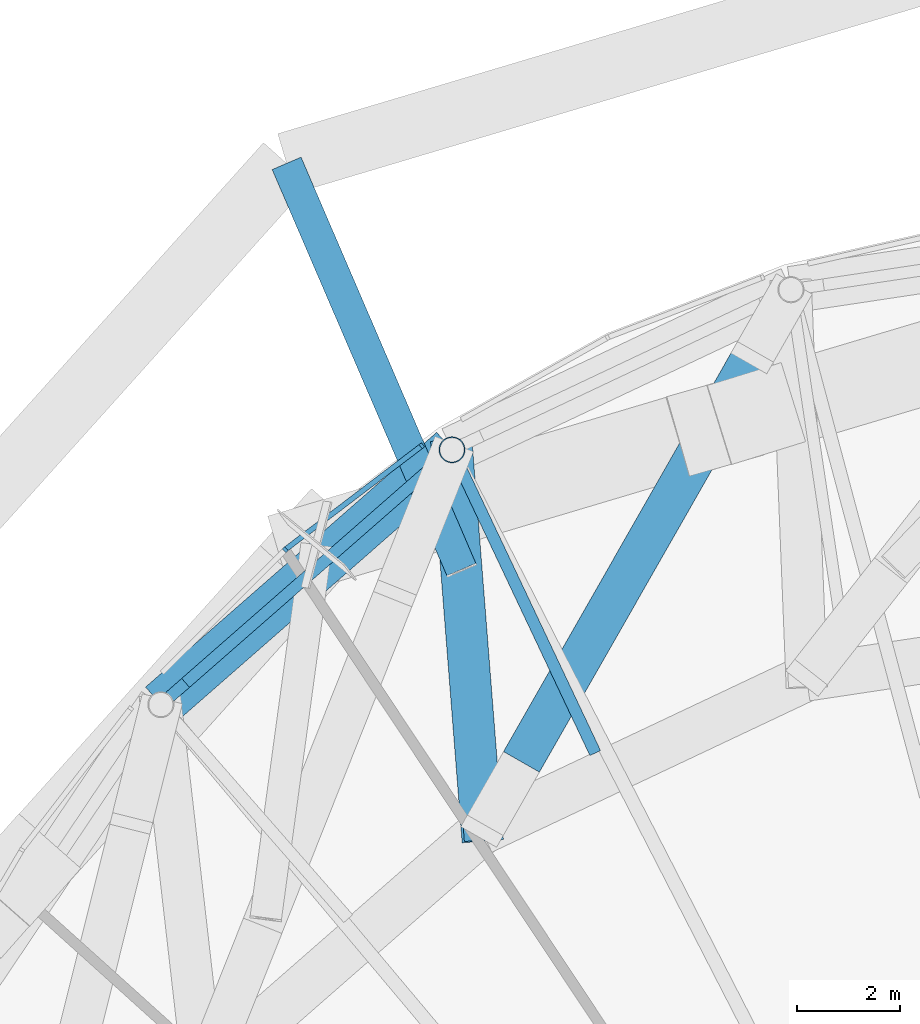
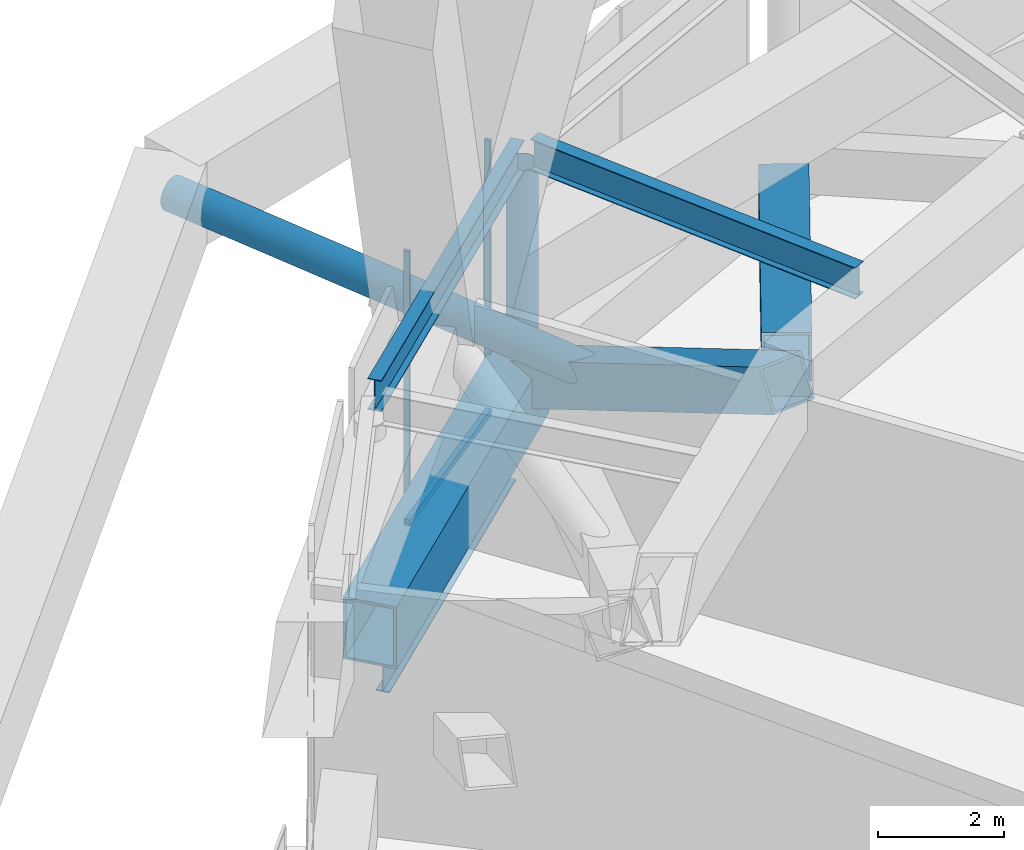
# One storey, part 41 of 65: 6 beams, 5 members, 2 elements without a shape of their own.
"""IFC4 building model written with IfcOpenShell, lengths in metres."""

from ifc_helpers import new_model, si_unit, direction, frame, origin, origin_2d, place, context, subcontext, project, spatial, rectangle, hollow_rectangle, hollow_circle, i_section, extrude, material, layer, layer_set, material_profile, profile_set, type_object, element, aggregate, save


model = new_model("IFC4")

# Units and contexts
model_context = context("Model", 3, precision=1e-05, world=origin(), true_north=direction((0.0, 1.0)))
body_context = subcontext(model_context, "Body", "Model", "MODEL_VIEW")
ifc_project = project(units=[si_unit("LENGTHUNIT", "METRE"), si_unit("AREAUNIT", "SQUARE_METRE"), si_unit("VOLUMEUNIT", "CUBIC_METRE"), si_unit("PLANEANGLEUNIT", "RADIAN"), si_unit("MASSUNIT", "GRAM", prefix="KILO")], contexts=[model_context])

# Site, building, storey
site_placement = place(None, origin())
site = spatial("IfcSite", under=ifc_project, at=site_placement, CompositionType="ELEMENT")
building_placement = place(site_placement, origin())
building = spatial("IfcBuilding", under=site, at=building_placement, Name="Nagisa Residences", CompositionType="ELEMENT")
storey_placement = place(building_placement, frame((0.0, 0.0, 114.0)))
storey = spatial("IfcBuildingStorey", under=building, at=storey_placement, Name="L28", CompositionType="ELEMENT", Elevation=114.0)

# Beams
ifc_material_1 = material(Name="Steel ASTM A572 Gr 50", Category="steel")
ifc_material_profile_1 = material_profile(ifc_material_1, hollow_rectangle(XDim=0.89990234375, YDim=1.199951171875, WallThickness=0.050048828125, at=origin_2d()), Name="BX 900x1200x50")
ifc_profile_set_1 = profile_set([ifc_material_profile_1], Name="Steel ASTM A572 Gr 50")
beam_type_1 = type_object("IfcBeamType", Name="Belt chord 2 BX 900x1200x50", PredefinedType="BEAM", material=ifc_profile_set_1)
beam_1_placement = place(storey_placement, frame((-15.3974609375, 29.9775390625, 0.60009765625), z_axis=(-0.752532238076, -0.658555411986, 0.0), x_axis=(0.658555411986, -0.752532238076, 0.0)))
element("IfcBeam", 1, at=beam_1_placement, inside=storey, type_object=beam_type_1, Name="beam:L28:bt2b09", PredefinedType="BEAM", context=body_context, shape_type="SweptSolid", body=[
    extrude(hollow_rectangle(XDim=0.89990234375, YDim=1.199951171875, WallThickness=0.050048828125, at=origin_2d()), origin(), (0.0, 0.0, 1.0), 7.484375),
])
ifc_material_2 = material(Name="Steel ASTM A572 Gr 50", Category="steel")
ifc_material_profile_2 = material_profile(ifc_material_2, hollow_rectangle(XDim=0.800048828125, YDim=0.800048828125, WallThickness=0.044921875, at=origin_2d()), Name="BX 800x800x45")
ifc_profile_set_2 = profile_set([ifc_material_profile_2], Name="Steel ASTM A572 Gr 50")
beam_type_2 = type_object("IfcBeamType", Name="Belt diagonal 2 BX 800x800x45", PredefinedType="BEAM", material=ifc_profile_set_2)
beam_2_placement = place(storey_placement, frame((-9.589599609375, 31.760009765625, 1.1201171875), z_axis=(-0.468814694348, -0.82149378849, 0.324593188214), x_axis=(0.868520966783, -0.495652428883, 0.0)))
element("IfcBeam", 2, at=beam_2_placement, inside=storey, type_object=beam_type_2, Name="beam:L28:bt2db08", PredefinedType="BEAM", context=body_context, shape_type="SweptSolid", body=[
    extrude(hollow_rectangle(XDim=0.800048828125, YDim=0.800048828125, WallThickness=0.044921875, at=origin_2d()), origin(), (0.0, 0.0, 1.0), 9.657470703125),
])
beam_3_placement = place(storey_placement, frame((-15.3974609375, 29.9775390625, 0.60009765625), z_axis=(0.068400942294, -0.870068046701, 0.488162785558), x_axis=(0.996924042545, 0.078373805548, 0.0)))
element("IfcBeam", 3, at=beam_3_placement, inside=storey, type_object=beam_type_2, Name="beam:L28:bt2da09", PredefinedType="BEAM", context=body_context, shape_type="SweptSolid", body=[
    extrude(hollow_rectangle(XDim=0.800048828125, YDim=0.800048828125, WallThickness=0.044921875, at=origin_2d()), origin(), (0.0, 0.0, 1.0), 8.48046875),
])

# Curtain wall, member
ifc_material_3 = material(Name="Aluminium curtain wall system", Category="aluminium")
ifc_layer = layer(ifc_material_3, 0.159912109375)
ifc_layer_set = layer_set([ifc_layer], Name="CW5 CURTAIN WALL")
curtain_wall_type = type_object("IfcCurtainWallType", Name="CW5 CURTAIN WALL", PredefinedType="NOTDEFINED", material=ifc_layer_set)
curtain_wall_1_placement = place(storey_placement, origin())
curtain_wall_1 = element("IfcCurtainWall", 4, at=curtain_wall_1_placement, inside=storey, type_object=curtain_wall_type, Name="cw:CW5:L28:16", PredefinedType="NOTDEFINED")
ifc_material_4 = material(Name="Aluminium", Category="aluminium")
ifc_material_profile_3 = material_profile(ifc_material_4, rectangle(XDim=0.10009765625, YDim=0.06005859375, at=origin_2d()), Name="CW5 MULLION 100x60")
ifc_profile_set_3 = profile_set([ifc_material_profile_3], Name="Aluminium")
member_type_1 = type_object("IfcMemberType", Name="CW5 MULLION 100x60", PredefinedType="MULLION", material=ifc_profile_set_3)
member_1_placement = place(storey_placement, frame((-15.981201171875, 30.056396484375, 0.0), z_axis=(0.0, 0.0, 1.0), x_axis=(0.605255421737, -0.79603132756, 0.0)))
member_1 = element("IfcMember", 5, at=member_1_placement, type_object=member_type_1, Name="CW5 mullion", PredefinedType="MULLION", context=body_context, shape_type="SweptSolid", body=[
    extrude(rectangle(XDim=0.10009765625, YDim=0.06005859375, at=origin_2d()), origin(), (0.0, 0.0, 1.0), 5.340087890625),
])

curtain_wall_2_placement = place(storey_placement, origin())
curtain_wall_2 = element("IfcCurtainWall", 6, at=curtain_wall_2_placement, inside=storey, type_object=curtain_wall_type, Name="cw:CW5:L28:17", PredefinedType="NOTDEFINED")
member_2_placement = place(storey_placement, frame((-18.624267578125, 28.04248046875, 0.0), z_axis=(0.0, 0.0, 1.0), x_axis=(0.706376885714, -0.707835924016, 0.0)))
member_2 = element("IfcMember", 7, at=member_2_placement, type_object=member_type_1, Name="CW5 mullion", PredefinedType="MULLION", context=body_context, shape_type="SweptSolid", body=[
    extrude(rectangle(XDim=0.10009765625, YDim=0.06005859375, at=origin_2d()), origin(), (0.0, 0.0, 1.0), 5.340087890625),
])
aggregate(curtain_wall_2, [member_2])

# Member
ifc_material_5 = material(Name="Aluminium", Category="aluminium")
ifc_material_profile_4 = material_profile(ifc_material_5, rectangle(XDim=0.10009765625, YDim=0.1201171875, at=origin_2d()), Name="CW5 TRANSOM 100x120")
ifc_profile_set_4 = profile_set([ifc_material_profile_4], Name="Aluminium")
member_type_2 = type_object("IfcMemberType", Name="CW5 TRANSOM 100x120", PredefinedType="USERDEFINED", material=ifc_profile_set_4)
member_3_placement = place(storey_placement, frame((-15.957275390625, 30.074462890625, 0.06005859375), z_axis=(-0.796054939885, -0.605224365574, 0.0), x_axis=(0.605224365574, -0.796054939885, 0.0)))
member_3 = element("IfcMember", 8, at=member_3_placement, type_object=member_type_2, Name="CW5 transom", ObjectType="TRANSOM", PredefinedType="USERDEFINED", context=body_context, shape_type="SweptSolid", body=[
    extrude(rectangle(XDim=0.10009765625, YDim=0.1201171875, at=origin_2d()), origin(), (0.0, 0.0, 1.0), 3.333984375),
])

aggregate(curtain_wall_1, [member_1, member_3])

ifc_material_6 = material(Name="Steel ASTM A572 Gr 65", Category="steel")
ifc_material_profile_5 = material_profile(ifc_material_6, hollow_circle(Radius=0.304931640625, WallThickness=0.02490234375, at=origin_2d()), Name="CHS 610x25")
ifc_profile_set_5 = profile_set([ifc_material_profile_5], Name="Steel ASTM A572 Gr 65")
member_type_3 = type_object("IfcMemberType", Name="Cage strut CHS 610x25", PredefinedType="STRUT", material=ifc_profile_set_5)
member_4_placement = place(storey_placement, frame((-18.597412109375, 35.52001953125, 1.89990234375), z_axis=(0.395279143735, -0.918561047796, 0.0), x_axis=(0.918561047796, 0.395279143735, 0.0)))
element("IfcMember", 9, at=member_4_placement, inside=storey, type_object=member_type_3, Name="mem:L28:bt2st2a05", PredefinedType="STRUT", context=body_context, shape_type="SweptSolid", body=[
    extrude(hollow_circle(Radius=0.304931640625, WallThickness=0.02490234375, at=origin_2d()), origin(), (0.0, 0.0, 1.0), 8.55615234375),
])

# Beam
ifc_material_7 = material(Name="Steel ASTM A572 Gr 50", Category="steel")
ifc_material_profile_6 = material_profile(ifc_material_7, i_section(OverallWidth=0.22802734375, OverallDepth=0.60302734375, WebThickness=0.010498046875, FlangeThickness=0.014892578125, at=origin_2d()), Name="W610x101")
ifc_profile_set_6 = profile_set([ifc_material_profile_6], Name="Steel ASTM A572 Gr 50")
beam_type_3 = type_object("IfcBeamType", Name="Garden edge beam W610x101", PredefinedType="BEAM", material=ifc_profile_set_6)
beam_4_placement = place(storey_placement, frame((-15.573486328125, 29.823486328125, 5.03857421875), z_axis=(-0.752533584971, -0.658553872884, 0.0), x_axis=(0.658553872884, -0.752533584971, 0.0)))
element("IfcBeam", 10, at=beam_4_placement, inside=storey, type_object=beam_type_3, Name="beam:L28:bt2ge09", PredefinedType="BEAM", context=body_context, shape_type="SweptSolid", body=[
    extrude(i_section(OverallWidth=0.22802734375, OverallDepth=0.60302734375, WebThickness=0.010498046875, FlangeThickness=0.014892578125, at=origin_2d()), origin(), (0.0, 0.0, 1.0), 7.0166015625),
])

# Member
ifc_material_8 = material(Name="Steel ASTM A572 Gr 65", Category="steel")
ifc_material_profile_7 = material_profile(ifc_material_8, hollow_circle(Radius=0.25390625, WallThickness=0.02001953125, at=origin_2d()), Name="CHS 508x20")
ifc_profile_set_7 = profile_set([ifc_material_profile_7], Name="Steel ASTM A572 Gr 65")
member_type_4 = type_object("IfcMemberType", Name="Garden edge post CHS 508x20", PredefinedType="POST", material=ifc_profile_set_7)
member_5_placement = place(storey_placement, frame((-15.3974609375, 29.9775390625, 1.199951171875), z_axis=(0.0, 0.0, 1.0), x_axis=(1.0, 0.0, 0.0)))
element("IfcMember", 11, at=member_5_placement, inside=storey, type_object=member_type_4, Name="mem:L28:gp209", PredefinedType="POST", context=body_context, shape_type="SweptSolid", body=[
    extrude(hollow_circle(Radius=0.25390625, WallThickness=0.02001953125, at=origin_2d()), origin(), (0.0, 0.0, 1.0), 3.537109375),
])

# Beams
ifc_material_9 = material(Name="Steel ASTM A572 Gr 50", Category="steel")
ifc_material_profile_8 = material_profile(ifc_material_9, i_section(OverallWidth=0.22802734375, OverallDepth=0.60302734375, WebThickness=0.010498046875, FlangeThickness=0.014892578125, at=origin_2d()), Name="W610x101")
ifc_profile_set_8 = profile_set([ifc_material_profile_8], Name="Steel ASTM A572 Gr 50")
beam_type_4 = type_object("IfcBeamType", Name="Garden radial beam W610x101", PredefinedType="BEAM", material=ifc_profile_set_8)
beam_5_placement = place(storey_placement, frame((-15.297607421875, 29.765869140625, 5.03857421875), z_axis=(0.427181820924, -0.904165743585, 0.0), x_axis=(0.904165743585, 0.427181820924, 0.0)))
element("IfcBeam", 12, at=beam_5_placement, inside=storey, type_object=beam_type_4, Name="beam:L28:bt2gr09", PredefinedType="BEAM", context=body_context, shape_type="SweptSolid", body=[
    extrude(i_section(OverallWidth=0.22802734375, OverallDepth=0.60302734375, WebThickness=0.010498046875, FlangeThickness=0.014892578125, at=origin_2d()), origin(), (0.0, 0.0, 1.0), 6.255126953125),
])
ifc_material_10 = material(Name="Steel ASTM A572 Gr 50", Category="steel")
ifc_material_profile_9 = material_profile(ifc_material_10, i_section(OverallWidth=0.22900390625, OverallDepth=0.612060546875, WebThickness=0.011962890625, FlangeThickness=0.01953125, at=origin_2d()), Name="W610x125")
ifc_profile_set_9 = profile_set([ifc_material_profile_9], Name="Steel ASTM A572 Gr 50")
beam_type_5 = type_object("IfcBeamType", Name="Perimeter ring beam W610x125", PredefinedType="BEAM", material=ifc_profile_set_9)
beam_6_placement = place(storey_placement, frame((-15.876220703125, 29.55859375, -0.656005859375), z_axis=(-0.752542612886, -0.658543556488, 0.0), x_axis=(0.658543556488, -0.752542612886, 0.0)))
element("IfcBeam", 13, at=beam_6_placement, inside=storey, type_object=beam_type_5, Name="beam:L28:pb09", PredefinedType="BEAM", context=body_context, shape_type="SweptSolid", body=[
    extrude(i_section(OverallWidth=0.22900390625, OverallDepth=0.612060546875, WebThickness=0.011962890625, FlangeThickness=0.01953125, at=origin_2d()), origin(), (0.0, 0.0, 1.0), 6.212646484375),
])

save(model, "model.ifc")
